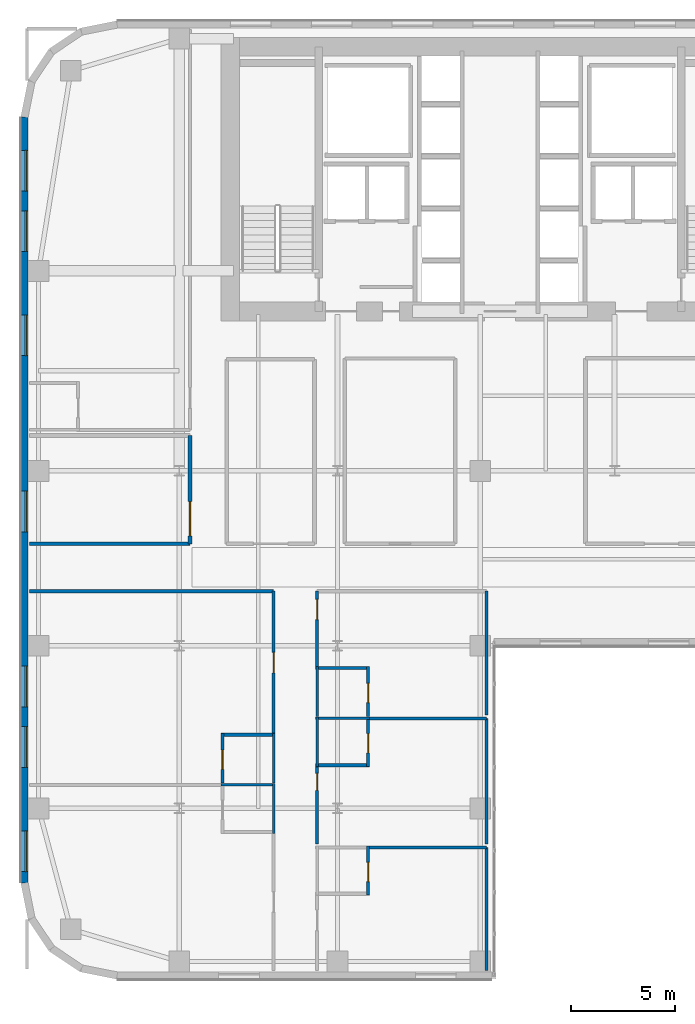
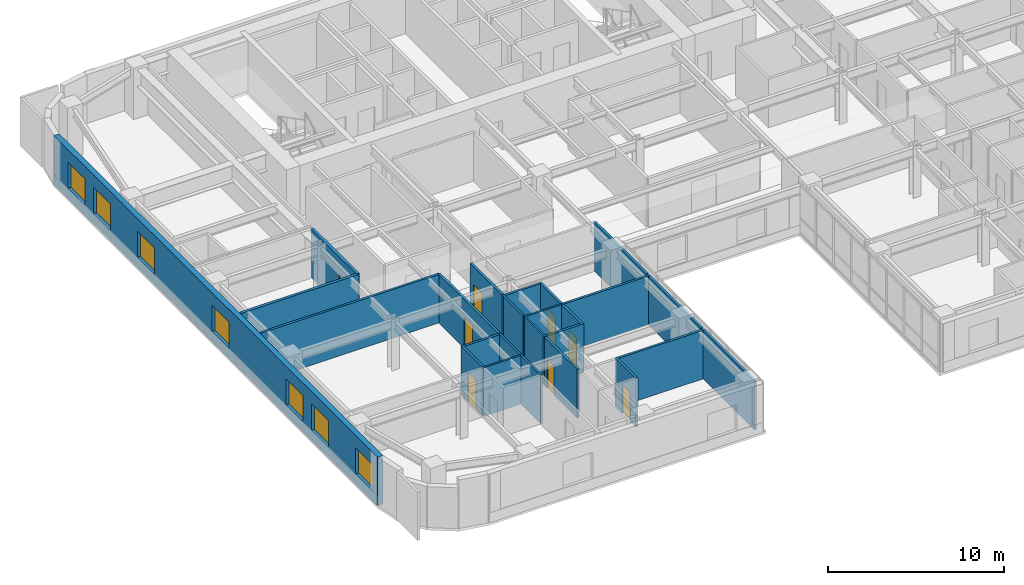
# One storey, part 14 of 24: 25 walls, 8 doors, 7 windows, 15 openings.
"""IFC4 building model written with IfcOpenShell, lengths in metres."""

from ifc_helpers import new_model, si_unit, direction, frame, frame_2d, origin, place, context, subcontext, project, spatial, rectangle, extrude, source, transform, mapped, material, layer, layer_set, type_object, type_shapes, element, fill, save


model = new_model("IFC4")

# Units and contexts
model_context = context("Model", 3, precision=1e-05, world=origin(), true_north=direction((0.0, 1.0)))
body_context = subcontext(model_context, "Body", "Model", "MODEL_VIEW")
ifc_project = project(units=[si_unit("LENGTHUNIT", "METRE"), si_unit("AREAUNIT", "SQUARE_METRE"), si_unit("VOLUMEUNIT", "CUBIC_METRE"), si_unit("PLANEANGLEUNIT", "RADIAN"), si_unit("MASSUNIT", "GRAM", prefix="KILO")], contexts=[model_context])

# Site, building, storey
site_placement = place(None, origin())
site = spatial("IfcSite", under=ifc_project, at=site_placement, CompositionType="ELEMENT")
building_placement = place(site_placement, origin())
building = spatial("IfcBuilding", under=site, at=building_placement, Name="Tolvann Quenvar Hotel", CompositionType="ELEMENT")
storey_placement = place(building_placement, frame((0.0, 0.0, 67.5)))
storey = spatial("IfcBuildingStorey", under=building, at=storey_placement, Name="L16", CompositionType="ELEMENT", Elevation=67.5)

# Wall, openings, windows
ifc_material_1 = material(Name="Kiln-fired red and buff architectural clay brickwork and terracotta masonry", Category="masonry")
ifc_layer_1 = layer(ifc_material_1, 0.35009765625)
ifc_layer_set_1 = layer_set([ifc_layer_1], Name="Kiln-fired red and buff architectural clay brickwork and terracotta masonry")
wall_type_1 = type_object("IfcWallType", Name="WALL_EXT_BRICK_350", PredefinedType="SOLIDWALL", material=ifc_layer_set_1)
wall_1_placement = place(storey_placement, frame((0.175048828125, 41.3828125, 0.0), z_axis=(0.0, 0.0, 1.0), x_axis=(0.0, -1.0, 0.0)))
wall_1 = element("IfcWall", 1, at=wall_1_placement, inside=storey, type_object=wall_type_1, Name="Exterior Chicago Brick Wall L16-E23", PredefinedType="SOLIDWALL", context=body_context, shape_type="SweptSolid", body=[
    extrude(rectangle(XDim=36.765625, YDim=0.35009765625, at=frame_2d((18.3828125, 0.0))), origin(), (0.0, 0.0, 1.0), 3.3701171875),
])
opening_1_placement = place(wall_1_placement, frame((1.60107421875, 0.0, 0.679931640625)))
opening_1 = element("IfcOpeningElement", 2, at=opening_1_placement, cuts=wall_1, Name="Opening W-10", PredefinedType="OPENING", context=body_context, shape_type="SweptSolid", body=[
    extrude(rectangle(XDim=1.949951171875, YDim=1.820068359375, at=frame_2d((0.97509765625, 0.91015625))), frame((0.0, 0.18505859375, 0.0), z_axis=(0.0, -1.0, 0.0), x_axis=(1.0, 0.0, 0.0)), (0.0, 0.0, 1.0), 0.3701171875),
])
opening_2_placement = place(wall_1_placement, frame((4.5029296875, 0.0, 0.679931640625)))
opening_2 = element("IfcOpeningElement", 3, at=opening_2_placement, cuts=wall_1, Name="Opening W-10", PredefinedType="OPENING", context=body_context, shape_type="SweptSolid", body=[
    extrude(rectangle(XDim=1.949951171875, YDim=1.820068359375, at=frame_2d((0.97509765625, 0.91015625))), frame((0.0, 0.18505859375, 0.0), z_axis=(0.0, -1.0, 0.0), x_axis=(1.0, 0.0, 0.0)), (0.0, 0.0, 1.0), 0.3701171875),
])
opening_3_placement = place(wall_1_placement, frame((9.50390625, 0.0, 0.679931640625)))
opening_3 = element("IfcOpeningElement", 4, at=opening_3_placement, cuts=wall_1, Name="Opening W-10", PredefinedType="OPENING", context=body_context, shape_type="SweptSolid", body=[
    extrude(rectangle(XDim=1.949951171875, YDim=1.820068359375, at=frame_2d((0.97509765625, 0.91015625))), frame((0.0, 0.18505859375, 0.0), z_axis=(0.0, -1.0, 0.0), x_axis=(1.0, 0.0, 0.0)), (0.0, 0.0, 1.0), 0.3701171875),
])
opening_4_placement = place(wall_1_placement, frame((17.9580078125, 0.0, 0.679931640625)))
opening_4 = element("IfcOpeningElement", 5, at=opening_4_placement, cuts=wall_1, Name="Opening W-10", PredefinedType="OPENING", context=body_context, shape_type="SweptSolid", body=[
    extrude(rectangle(XDim=1.949951171875, YDim=1.820068359375, at=frame_2d((0.97509765625, 0.91015625))), frame((0.0, 0.18505859375, 0.0), z_axis=(0.0, -1.0, 0.0), x_axis=(1.0, 0.0, 0.0)), (0.0, 0.0, 1.0), 0.3701171875),
])
opening_5_placement = place(wall_1_placement, frame((26.361083984375, 0.0, 0.679931640625)))
opening_5 = element("IfcOpeningElement", 6, at=opening_5_placement, cuts=wall_1, Name="Opening W-10", PredefinedType="OPENING", context=body_context, shape_type="SweptSolid", body=[
    extrude(rectangle(XDim=1.949951171875, YDim=1.820068359375, at=frame_2d((0.97509765625, 0.91015625))), frame((0.0, 0.18505859375, 0.0), z_axis=(0.0, -1.0, 0.0), x_axis=(1.0, 0.0, 0.0)), (0.0, 0.0, 1.0), 0.3701171875),
])
opening_6_placement = place(wall_1_placement, frame((29.262939453125, 0.0, 0.679931640625)))
opening_6 = element("IfcOpeningElement", 7, at=opening_6_placement, cuts=wall_1, Name="Opening W-10", PredefinedType="OPENING", context=body_context, shape_type="SweptSolid", body=[
    extrude(rectangle(XDim=1.949951171875, YDim=1.820068359375, at=frame_2d((0.97509765625, 0.91015625))), frame((0.0, 0.18505859375, 0.0), z_axis=(0.0, -1.0, 0.0), x_axis=(1.0, 0.0, 0.0)), (0.0, 0.0, 1.0), 0.3701171875),
])
opening_7_placement = place(wall_1_placement, frame((34.264892578125, 0.0, 0.679931640625)))
opening_7 = element("IfcOpeningElement", 8, at=opening_7_placement, cuts=wall_1, Name="Opening W-10", PredefinedType="OPENING", context=body_context, shape_type="SweptSolid", body=[
    extrude(rectangle(XDim=1.949951171875, YDim=1.820068359375, at=frame_2d((0.97509765625, 0.91015625))), frame((0.0, 0.18505859375, 0.0), z_axis=(0.0, -1.0, 0.0), x_axis=(1.0, 0.0, 0.0)), (0.0, 0.0, 1.0), 0.3701171875),
])
ifc_material_2 = material(Name="Thermally broken bronze-anodised aluminium frame with double low-E glazing", Category="aluminium")
window_type = type_object("IfcWindowType", Name="WIN_CLB_1950x1850", PartitioningType="DOUBLE_PANEL_VERTICAL", PredefinedType="WINDOW", material=ifc_material_2)
shared_shape_1 = source(origin(), body_context, "Body", "SweptSolid", [
    extrude(rectangle(XDim=1.949951171875, YDim=1.820068359375, at=frame_2d((0.97509765625, 0.91015625))), frame((0.0, 0.090087890625, 0.0), z_axis=(0.0, -1.0, 0.0), x_axis=(1.0, 0.0, 0.0)), (0.0, 0.0, 1.0), 0.06005859375),
])
type_shapes(window_type, [shared_shape_1])
window_1_placement = place(opening_1_placement, origin())
window_1 = element("IfcWindow", 9, at=window_1_placement, inside=storey, type_object=window_type, Name="Chicago Window W-10 (EW-L16-E23-W01)", OverallHeight=1.820068359375, OverallWidth=1.949951171875, PartitioningType="DOUBLE_PANEL_VERTICAL", PredefinedType="WINDOW", context=body_context, shape_type="MappedRepresentation", body=[
    mapped(shared_shape_1, transform((0.0, 0.0, 0.0), x_axis=(1.0, 0.0, 0.0), y_axis=(0.0, 1.0, 0.0), z_axis=(0.0, 0.0, 1.0), scale=1.0)),
])
fill(opening_1, window_1)
window_2_placement = place(opening_2_placement, origin())
window_2 = element("IfcWindow", 10, at=window_2_placement, inside=storey, type_object=window_type, Name="Chicago Window W-10 (EW-L16-E23-W02)", OverallHeight=1.820068359375, OverallWidth=1.949951171875, PartitioningType="DOUBLE_PANEL_VERTICAL", PredefinedType="WINDOW", context=body_context, shape_type="MappedRepresentation", body=[
    mapped(shared_shape_1, transform((0.0, 0.0, 0.0), x_axis=(1.0, 0.0, 0.0), y_axis=(0.0, 1.0, 0.0), z_axis=(0.0, 0.0, 1.0), scale=1.0)),
])
fill(opening_2, window_2)
window_3_placement = place(opening_3_placement, origin())
window_3 = element("IfcWindow", 11, at=window_3_placement, inside=storey, type_object=window_type, Name="Chicago Window W-10 (EW-L16-E23-W03)", OverallHeight=1.820068359375, OverallWidth=1.949951171875, PartitioningType="DOUBLE_PANEL_VERTICAL", PredefinedType="WINDOW", context=body_context, shape_type="MappedRepresentation", body=[
    mapped(shared_shape_1, transform((0.0, 0.0, 0.0), x_axis=(1.0, 0.0, 0.0), y_axis=(0.0, 1.0, 0.0), z_axis=(0.0, 0.0, 1.0), scale=1.0)),
])
fill(opening_3, window_3)
window_4_placement = place(opening_4_placement, origin())
window_4 = element("IfcWindow", 12, at=window_4_placement, inside=storey, type_object=window_type, Name="Chicago Window W-10 (EW-L16-E23-W04)", OverallHeight=1.820068359375, OverallWidth=1.949951171875, PartitioningType="DOUBLE_PANEL_VERTICAL", PredefinedType="WINDOW", context=body_context, shape_type="MappedRepresentation", body=[
    mapped(shared_shape_1, transform((0.0, 0.0, 0.0), x_axis=(1.0, 0.0, 0.0), y_axis=(0.0, 1.0, 0.0), z_axis=(0.0, 0.0, 1.0), scale=1.0)),
])
fill(opening_4, window_4)
window_5_placement = place(opening_5_placement, origin())
window_5 = element("IfcWindow", 13, at=window_5_placement, inside=storey, type_object=window_type, Name="Chicago Window W-10 (EW-L16-E23-W05)", OverallHeight=1.820068359375, OverallWidth=1.949951171875, PartitioningType="DOUBLE_PANEL_VERTICAL", PredefinedType="WINDOW", context=body_context, shape_type="MappedRepresentation", body=[
    mapped(shared_shape_1, transform((0.0, 0.0, 0.0), x_axis=(1.0, 0.0, 0.0), y_axis=(0.0, 1.0, 0.0), z_axis=(0.0, 0.0, 1.0), scale=1.0)),
])
fill(opening_5, window_5)
window_6_placement = place(opening_6_placement, origin())
window_6 = element("IfcWindow", 14, at=window_6_placement, inside=storey, type_object=window_type, Name="Chicago Window W-10 (EW-L16-E23-W06)", OverallHeight=1.820068359375, OverallWidth=1.949951171875, PartitioningType="DOUBLE_PANEL_VERTICAL", PredefinedType="WINDOW", context=body_context, shape_type="MappedRepresentation", body=[
    mapped(shared_shape_1, transform((0.0, 0.0, 0.0), x_axis=(1.0, 0.0, 0.0), y_axis=(0.0, 1.0, 0.0), z_axis=(0.0, 0.0, 1.0), scale=1.0)),
])
fill(opening_6, window_6)
window_7_placement = place(opening_7_placement, origin())
window_7 = element("IfcWindow", 15, at=window_7_placement, inside=storey, type_object=window_type, Name="Chicago Window W-10 (EW-L16-E23-W07)", OverallHeight=1.820068359375, OverallWidth=1.949951171875, PartitioningType="DOUBLE_PANEL_VERTICAL", PredefinedType="WINDOW", context=body_context, shape_type="MappedRepresentation", body=[
    mapped(shared_shape_1, transform((0.0, 0.0, 0.0), x_axis=(1.0, 0.0, 0.0), y_axis=(0.0, 1.0, 0.0), z_axis=(0.0, 0.0, 1.0), scale=1.0)),
])
fill(opening_7, window_7)

# Wall, opening, door
ifc_material_3 = material(Name="Acoustic twin-stud fire-rated gypsum plasterboard partition")
ifc_layer_2 = layer(ifc_material_3, 0.179931640625)
ifc_layer_set_2 = layer_set([ifc_layer_2], Name="Acoustic twin-stud fire-rated gypsum plasterboard partition")
wall_type_2 = type_object("IfcWallType", Name="WALL_PART_ACOUSTIC_180", PredefinedType="PARTITIONING", material=ifc_layer_set_2)
wall_2_placement = place(storey_placement, frame((8.1201171875, 20.89990234375, 0.0), z_axis=(0.0, 0.0, 1.0), x_axis=(0.0, 1.0, 0.0)))
wall_2 = element("IfcWall", 16, at=wall_2_placement, inside=storey, type_object=wall_type_2, Name="Interior Partition PT-SPC-L16-SAL-ENT", PredefinedType="PARTITIONING", context=body_context, shape_type="SweptSolid", body=[
    extrude(rectangle(XDim=5.2001953125, YDim=0.179931640625, at=frame_2d((2.60009765625, 0.0))), origin(), (0.0, 0.0, 1.0), 3.3701171875),
])
opening_8_placement = place(wall_2_placement, frame((0.375, 0.0, 0.0)))
opening_8 = element("IfcOpeningElement", 17, at=opening_8_placement, cuts=wall_2, Name="Opening AD-01", PredefinedType="OPENING", context=body_context, shape_type="SweptSolid", body=[
    extrude(rectangle(XDim=1.64990234375, YDim=2.14990234375, at=frame_2d((0.824951171875, 1.074951171875))), frame((0.0, 0.10009765625, 0.0), z_axis=(0.0, -1.0, 0.0), x_axis=(1.0, 0.0, 0.0)), (0.0, 0.0, 1.0), 0.199951171875),
])
ifc_material_4 = material(Name="Solid-core American oak acoustic fire door leaf in steel frame", Category="steel")
door_type_1 = type_object("IfcDoorType", Name="DOOR_SALON_1650", OperationType="NOTDEFINED", PredefinedType="DOOR", material=ifc_material_4)
shared_shape_2 = source(origin(), body_context, "Body", "SweptSolid", [
    extrude(rectangle(XDim=1.64990234375, YDim=2.14990234375, at=frame_2d((0.824951171875, 1.074951171875))), frame((0.0, 0.02490234375, 0.0), z_axis=(0.0, -1.0, 0.0), x_axis=(1.0, 0.0, 0.0)), (0.0, 0.0, 1.0), 0.050048828125),
])
type_shapes(door_type_1, [shared_shape_2])
door_1_placement = place(opening_8_placement, origin())
door_1 = element("IfcDoor", 18, at=door_1_placement, inside=storey, type_object=door_type_1, Name="Interior Door DOOR-SPC-L16-SAL", OperationType="DOUBLE_DOOR_SINGLE_SWING", OverallHeight=2.14990234375, OverallWidth=1.64990234375, PredefinedType="DOOR", context=body_context, shape_type="MappedRepresentation", body=[
    mapped(shared_shape_2, transform((0.0, 0.0, 0.0), x_axis=(1.0, 0.0, 0.0), y_axis=(0.0, 1.0, 0.0), z_axis=(0.0, 0.0, 1.0), scale=1.0)),
])
fill(opening_8, door_1)

# Walls
wall_3_placement = place(storey_placement, frame((0.405029296875, 20.89990234375, 0.0), z_axis=(0.0, 0.0, 1.0), x_axis=(1.0, 0.0, 0.0)))
element("IfcWall", 19, at=wall_3_placement, inside=storey, type_object=wall_type_2, Name="Interior Partition PT-SPC-L16-SAL-S", PredefinedType="PARTITIONING", context=body_context, shape_type="SweptSolid", body=[
    extrude(rectangle(XDim=7.715087890625, YDim=0.179931640625, at=frame_2d((3.857421875, 0.0))), origin(), (0.0, 0.0, 1.0), 3.3701171875),
])
ifc_material_5 = material(Name="Moisture-resistant acoustic plumbing wall assembly")
ifc_layer_3 = layer(ifc_material_5, 0.1201171875)
ifc_layer_set_3 = layer_set([ifc_layer_3], Name="Moisture-resistant acoustic plumbing wall assembly")
wall_type_3 = type_object("IfcWallType", Name="WALL_PART_BATH_120", PredefinedType="PLUMBINGWALL", material=ifc_layer_set_3)
wall_4_placement = place(storey_placement, frame((9.610107421875, 9.320068359375, 0.0), z_axis=(0.0, 0.0, 1.0), x_axis=(1.0, 0.0, 0.0)))
element("IfcWall", 20, at=wall_4_placement, inside=storey, type_object=wall_type_3, Name="Non-Rated Plumbing Partition PT-SPC-L16-ENS-WO01-N", PredefinedType="PLUMBINGWALL", context=body_context, shape_type="SweptSolid", body=[
    extrude(rectangle(XDim=2.58984375, YDim=0.1201171875, at=frame_2d((1.294921875, 0.0))), origin(), (0.0, 0.0, 1.0), 3.3701171875),
])
wall_5_placement = place(storey_placement, frame((12.1298828125, 7.0, 0.0), z_axis=(0.0, 0.0, 1.0), x_axis=(0.0, 1.0, 0.0)))
element("IfcWall", 21, at=wall_5_placement, inside=storey, type_object=wall_type_3, Name="Non-Rated Plumbing Partition PT-SPC-L16-ENS-WO01-E", PredefinedType="PLUMBINGWALL", context=body_context, shape_type="SweptSolid", body=[
    extrude(rectangle(XDim=2.389892578125, YDim=0.1201171875, at=frame_2d((1.19482421875, 0.0))), origin(), (0.0, 0.0, 1.0), 3.3701171875),
])
wall_6_placement = place(storey_placement, frame((12.1298828125, 9.409912109375, 0.0), z_axis=(0.0, 0.0, 1.0), x_axis=(0.0, 1.0, 0.0)))
element("IfcWall", 22, at=wall_6_placement, inside=storey, type_object=wall_type_3, Name="Non-Rated Plumbing Partition PT-SPC-L16-ENS-WO02-E", PredefinedType="PLUMBINGWALL", context=body_context, shape_type="SweptSolid", body=[
    extrude(rectangle(XDim=2.39013671875, YDim=0.1201171875, at=frame_2d((1.195068359375, 0.0))), origin(), (0.0, 0.0, 1.0), 3.3701171875),
])
wall_7_placement = place(storey_placement, frame((14.14990234375, 12.52001953125, 0.0), z_axis=(0.0, 0.0, 1.0), x_axis=(1.0, 0.0, 0.0)))
element("IfcWall", 23, at=wall_7_placement, inside=storey, type_object=wall_type_3, Name="Non-Rated Plumbing Partition PT-SPC-L16-ENS-WI02-N", PredefinedType="PLUMBINGWALL", context=body_context, shape_type="SweptSolid", body=[
    extrude(rectangle(XDim=2.590087890625, YDim=0.1201171875, at=frame_2d((1.294921875, 0.0))), origin(), (0.0, 0.0, 1.0), 3.3701171875),
])
wall_8_placement = place(storey_placement, frame((14.219970703125, 10.199951171875, 0.0), z_axis=(0.0, 0.0, 1.0), x_axis=(0.0, 1.0, 0.0)))
element("IfcWall", 24, at=wall_8_placement, inside=storey, type_object=wall_type_3, Name="Non-Rated Plumbing Partition PT-SPC-L16-ENS-WI02-W", PredefinedType="PLUMBINGWALL", context=body_context, shape_type="SweptSolid", body=[
    extrude(rectangle(XDim=2.39013671875, YDim=0.1201171875, at=frame_2d((1.195068359375, 0.0))), origin(), (0.0, 0.0, 1.0), 3.3701171875),
])
wall_9_placement = place(storey_placement, frame((14.219970703125, 12.610107421875, 0.0), z_axis=(0.0, 0.0, 1.0), x_axis=(0.0, 1.0, 0.0)))
element("IfcWall", 25, at=wall_9_placement, inside=storey, type_object=wall_type_3, Name="Non-Rated Plumbing Partition PT-SPC-L16-ENS-WI03-W", PredefinedType="PLUMBINGWALL", context=body_context, shape_type="SweptSolid", body=[
    extrude(rectangle(XDim=2.389892578125, YDim=0.1201171875, at=frame_2d((1.19482421875, 0.0))), origin(), (0.0, 0.0, 1.0), 3.3701171875),
])

# Wall, opening, door
ifc_layer_4 = layer(ifc_material_3, 0.14990234375)
ifc_layer_set_4 = layer_set([ifc_layer_4], Name="Acoustic twin-stud fire-rated gypsum plasterboard partition")
wall_type_4 = type_object("IfcWallType", Name="WALL_PART_SUITE_150", PredefinedType="PARTITIONING", material=ifc_layer_set_4)
wall_10_placement = place(storey_placement, frame((9.679931640625, 9.409912109375, 0.0), z_axis=(0.0, 0.0, 1.0), x_axis=(0.0, 1.0, 0.0)))
wall_10 = element("IfcWall", 26, at=wall_10_placement, inside=storey, type_object=wall_type_4, Name="Interior Partition PT-SPC-L16-ENS-WO02-ENT", PredefinedType="PARTITIONING", context=body_context, shape_type="SweptSolid", body=[
    extrude(rectangle(XDim=2.39013671875, YDim=0.14990234375, at=frame_2d((1.195068359375, 0.0))), origin(), (0.0, 0.0, 1.0), 3.3701171875),
])
opening_9_placement = place(wall_10_placement, frame((0.6650390625, 0.0, 0.0)))
opening_9 = element("IfcOpeningElement", 27, at=opening_9_placement, cuts=wall_10, Name="Opening WD-01", PredefinedType="OPENING", context=body_context, shape_type="SweptSolid", body=[
    extrude(rectangle(XDim=0.919921875, YDim=2.010009765625, at=frame_2d((0.4599609375, 1.0048828125))), frame((0.0, 0.0849609375, 0.0), z_axis=(0.0, -1.0, 0.0), x_axis=(1.0, 0.0, 0.0)), (0.0, 0.0, 1.0), 0.169921875),
])
door_type_2 = type_object("IfcDoorType", Name="DOOR_WC_920", OperationType="NOTDEFINED", PredefinedType="DOOR", material=ifc_material_4)
shared_shape_3 = source(origin(), body_context, "Body", "SweptSolid", [
    extrude(rectangle(XDim=0.919921875, YDim=2.010009765625, at=frame_2d((0.4599609375, 1.0048828125))), frame((0.0, 0.02490234375, 0.0), z_axis=(0.0, -1.0, 0.0), x_axis=(1.0, 0.0, 0.0)), (0.0, 0.0, 1.0), 0.050048828125),
])
type_shapes(door_type_2, [shared_shape_3])
door_2_placement = place(opening_9_placement, origin())
door_2 = element("IfcDoor", 28, at=door_2_placement, inside=storey, type_object=door_type_2, Name="Interior Door DOOR-SPC-L16-ENS-WO02", OperationType="SINGLE_SWING_LEFT", OverallHeight=2.010009765625, OverallWidth=0.919921875, PredefinedType="DOOR", context=body_context, shape_type="MappedRepresentation", body=[
    mapped(shared_shape_3, transform((0.0, 0.0, 0.0), x_axis=(1.0, 0.0, 0.0), y_axis=(0.0, 1.0, 0.0), z_axis=(0.0, 0.0, 1.0), scale=1.0)),
])
fill(opening_9, door_2)

# Wall
wall_11_placement = place(storey_placement, frame((9.610107421875, 11.72998046875, 0.0), z_axis=(0.0, 0.0, 1.0), x_axis=(1.0, 0.0, 0.0)))
element("IfcWall", 29, at=wall_11_placement, inside=storey, type_object=wall_type_4, Name="Interior Partition PT-SPC-L16-ENS-WO02-N", PredefinedType="PARTITIONING", context=body_context, shape_type="SweptSolid", body=[
    extrude(rectangle(XDim=2.58984375, YDim=0.14990234375, at=frame_2d((1.294921875, 0.0))), origin(), (0.0, 0.0, 1.0), 3.3701171875),
])

# Wall, opening, door
wall_12_placement = place(storey_placement, frame((16.669921875, 4.031005859375, 0.0), z_axis=(0.0, 0.0, 1.0), x_axis=(0.0, 1.0, 0.0)))
wall_12 = element("IfcWall", 30, at=wall_12_placement, inside=storey, type_object=wall_type_4, Name="Interior Partition PT-SPC-L16-ENS-WI01-ENT", PredefinedType="PARTITIONING", context=body_context, shape_type="SweptSolid", body=[
    extrude(rectangle(XDim=2.35888671875, YDim=0.14990234375, at=frame_2d((1.179443359375, 0.0))), origin(), (0.0, 0.0, 1.0), 3.3701171875),
])
opening_10_placement = place(wall_12_placement, frame((0.6494140625, 0.0, 0.0)))
opening_10 = element("IfcOpeningElement", 31, at=opening_10_placement, cuts=wall_12, Name="Opening WD-01", PredefinedType="OPENING", context=body_context, shape_type="SweptSolid", body=[
    extrude(rectangle(XDim=0.919921875, YDim=2.010009765625, at=frame_2d((0.4599609375, 1.0048828125))), frame((0.0, 0.0849609375, 0.0), z_axis=(0.0, -1.0, 0.0), x_axis=(1.0, 0.0, 0.0)), (0.0, 0.0, 1.0), 0.169921875),
])
door_3_placement = place(opening_10_placement, origin())
door_3 = element("IfcDoor", 32, at=door_3_placement, inside=storey, type_object=door_type_2, Name="Interior Door DOOR-SPC-L16-ENS-WI01", OperationType="SINGLE_SWING_RIGHT", OverallHeight=2.010009765625, OverallWidth=0.919921875, PredefinedType="DOOR", context=body_context, shape_type="MappedRepresentation", body=[
    mapped(shared_shape_3, transform((0.0, 0.0, 0.0), x_axis=(1.0, 0.0, 0.0), y_axis=(0.0, 1.0, 0.0), z_axis=(0.0, 0.0, 1.0), scale=1.0)),
])
fill(opening_10, door_3)

wall_13_placement = place(storey_placement, frame((16.669921875, 10.199951171875, 0.0), z_axis=(0.0, 0.0, 1.0), x_axis=(0.0, 1.0, 0.0)))
wall_13 = element("IfcWall", 33, at=wall_13_placement, inside=storey, type_object=wall_type_4, Name="Interior Partition PT-SPC-L16-ENS-WI02-ENT", PredefinedType="PARTITIONING", context=body_context, shape_type="SweptSolid", body=[
    extrude(rectangle(XDim=2.39013671875, YDim=0.14990234375, at=frame_2d((1.195068359375, 0.0))), origin(), (0.0, 0.0, 1.0), 3.3701171875),
])
opening_11_placement = place(wall_13_placement, frame((0.6650390625, 0.0, 0.0)))
opening_11 = element("IfcOpeningElement", 34, at=opening_11_placement, cuts=wall_13, Name="Opening WD-01", PredefinedType="OPENING", context=body_context, shape_type="SweptSolid", body=[
    extrude(rectangle(XDim=0.919921875, YDim=2.010009765625, at=frame_2d((0.4599609375, 1.0048828125))), frame((0.0, 0.0849609375, 0.0), z_axis=(0.0, -1.0, 0.0), x_axis=(1.0, 0.0, 0.0)), (0.0, 0.0, 1.0), 0.169921875),
])
door_4_placement = place(opening_11_placement, origin())
door_4 = element("IfcDoor", 35, at=door_4_placement, inside=storey, type_object=door_type_2, Name="Interior Door DOOR-SPC-L16-ENS-WI02", OperationType="SINGLE_SWING_LEFT", OverallHeight=2.010009765625, OverallWidth=0.919921875, PredefinedType="DOOR", context=body_context, shape_type="MappedRepresentation", body=[
    mapped(shared_shape_3, transform((0.0, 0.0, 0.0), x_axis=(1.0, 0.0, 0.0), y_axis=(0.0, 1.0, 0.0), z_axis=(0.0, 0.0, 1.0), scale=1.0)),
])
fill(opening_11, door_4)

# Wall
wall_14_placement = place(storey_placement, frame((14.14990234375, 10.27001953125, 0.0), z_axis=(0.0, 0.0, 1.0), x_axis=(1.0, 0.0, 0.0)))
element("IfcWall", 36, at=wall_14_placement, inside=storey, type_object=wall_type_4, Name="Interior Partition PT-SPC-L16-ENS-WI02-S", PredefinedType="PARTITIONING", context=body_context, shape_type="SweptSolid", body=[
    extrude(rectangle(XDim=2.590087890625, YDim=0.14990234375, at=frame_2d((1.294921875, 0.0))), origin(), (0.0, 0.0, 1.0), 3.3701171875),
])

# Wall, opening, door
wall_15_placement = place(storey_placement, frame((16.669921875, 12.610107421875, 0.0), z_axis=(0.0, 0.0, 1.0), x_axis=(0.0, 1.0, 0.0)))
wall_15 = element("IfcWall", 37, at=wall_15_placement, inside=storey, type_object=wall_type_4, Name="Interior Partition PT-SPC-L16-ENS-WI03-ENT", PredefinedType="PARTITIONING", context=body_context, shape_type="SweptSolid", body=[
    extrude(rectangle(XDim=2.389892578125, YDim=0.14990234375, at=frame_2d((1.19482421875, 0.0))), origin(), (0.0, 0.0, 1.0), 3.3701171875),
])
opening_12_placement = place(wall_15_placement, frame((0.6650390625, 0.0, 0.0)))
opening_12 = element("IfcOpeningElement", 38, at=opening_12_placement, cuts=wall_15, Name="Opening WD-01", PredefinedType="OPENING", context=body_context, shape_type="SweptSolid", body=[
    extrude(rectangle(XDim=0.919921875, YDim=2.010009765625, at=frame_2d((0.4599609375, 1.0048828125))), frame((0.0, 0.0849609375, 0.0), z_axis=(0.0, -1.0, 0.0), x_axis=(1.0, 0.0, 0.0)), (0.0, 0.0, 1.0), 0.169921875),
])
door_5_placement = place(opening_12_placement, origin())
door_5 = element("IfcDoor", 39, at=door_5_placement, inside=storey, type_object=door_type_2, Name="Interior Door DOOR-SPC-L16-ENS-WI03", OperationType="SINGLE_SWING_RIGHT", OverallHeight=2.010009765625, OverallWidth=0.919921875, PredefinedType="DOOR", context=body_context, shape_type="MappedRepresentation", body=[
    mapped(shared_shape_3, transform((0.0, 0.0, 0.0), x_axis=(1.0, 0.0, 0.0), y_axis=(0.0, 1.0, 0.0), z_axis=(0.0, 0.0, 1.0), scale=1.0)),
])
fill(opening_12, door_5)

# Wall
wall_16_placement = place(storey_placement, frame((14.14990234375, 14.929931640625, 0.0), z_axis=(0.0, 0.0, 1.0), x_axis=(1.0, 0.0, 0.0)))
element("IfcWall", 40, at=wall_16_placement, inside=storey, type_object=wall_type_4, Name="Interior Partition PT-SPC-L16-ENS-WI03-N", PredefinedType="PARTITIONING", context=body_context, shape_type="SweptSolid", body=[
    extrude(rectangle(XDim=2.590087890625, YDim=0.14990234375, at=frame_2d((1.294921875, 0.0))), origin(), (0.0, 0.0, 1.0), 3.3701171875),
])

# Wall, opening, door
wall_17_placement = place(storey_placement, frame((12.1298828125, 11.81005859375, 0.0), z_axis=(0.0, 0.0, 1.0), x_axis=(0.0, 1.0, 0.0)))
wall_17 = element("IfcWall", 41, at=wall_17_placement, inside=storey, type_object=wall_type_4, Name="Interior Partition PT-SPC-L16-RM-WO02-ENT", PredefinedType="PARTITIONING", context=body_context, shape_type="SweptSolid", body=[
    extrude(rectangle(XDim=6.81005859375, YDim=0.14990234375, at=frame_2d((3.405029296875, 0.0))), origin(), (0.0, 0.0, 1.0), 3.3701171875),
])
opening_13_placement = place(wall_17_placement, frame((2.89501953125, 0.0, 0.0)))
opening_13 = element("IfcOpeningElement", 42, at=opening_13_placement, cuts=wall_17, Name="Opening SD-01", PredefinedType="OPENING", context=body_context, shape_type="SweptSolid", body=[
    extrude(rectangle(XDim=0.97998046875, YDim=2.1201171875, at=frame_2d((0.489990234375, 1.06005859375))), frame((0.0, 0.0849609375, 0.0), z_axis=(0.0, -1.0, 0.0), x_axis=(1.0, 0.0, 0.0)), (0.0, 0.0, 1.0), 0.169921875),
])
door_type_3 = type_object("IfcDoorType", Name="DOOR_SUITE_980", OperationType="NOTDEFINED", PredefinedType="DOOR", material=ifc_material_4)
shared_shape_4 = source(origin(), body_context, "Body", "SweptSolid", [
    extrude(rectangle(XDim=0.97998046875, YDim=2.1201171875, at=frame_2d((0.489990234375, 1.06005859375))), frame((0.0, 0.02490234375, 0.0), z_axis=(0.0, -1.0, 0.0), x_axis=(1.0, 0.0, 0.0)), (0.0, 0.0, 1.0), 0.050048828125),
])
type_shapes(door_type_3, [shared_shape_4])
door_6_placement = place(opening_13_placement, origin())
door_6 = element("IfcDoor", 43, at=door_6_placement, inside=storey, type_object=door_type_3, Name="Interior Door DOOR-SPC-L16-RM-WO02", OperationType="SINGLE_SWING_LEFT", OverallHeight=2.1201171875, OverallWidth=0.97998046875, PredefinedType="DOOR", context=body_context, shape_type="MappedRepresentation", body=[
    mapped(shared_shape_4, transform((0.0, 0.0, 0.0), x_axis=(1.0, 0.0, 0.0), y_axis=(0.0, 1.0, 0.0), z_axis=(0.0, 0.0, 1.0), scale=1.0)),
])
fill(opening_13, door_6)

# Walls
wall_18_placement = place(storey_placement, frame((0.405029296875, 18.6201171875, 0.0), z_axis=(0.0, 0.0, 1.0), x_axis=(1.0, 0.0, 0.0)))
element("IfcWall", 44, at=wall_18_placement, inside=storey, type_object=wall_type_4, Name="Interior Partition PT-SPC-L16-RM-WO02-E5", PredefinedType="PARTITIONING", context=body_context, shape_type="SweptSolid", body=[
    extrude(rectangle(XDim=11.724853515625, YDim=0.14990234375, at=frame_2d((5.8623046875, 0.0))), origin(), (0.0, 0.0, 1.0), 3.3701171875),
])
wall_19_placement = place(storey_placement, frame((22.35009765625, 0.405029296875, 0.0), z_axis=(0.0, 0.0, 1.0), x_axis=(0.0, 1.0, 0.0)))
element("IfcWall", 45, at=wall_19_placement, inside=storey, type_object=wall_type_4, Name="Interior Partition PT-SPC-L16-RM-WI01-E2", PredefinedType="PARTITIONING", context=body_context, shape_type="SweptSolid", body=[
    extrude(rectangle(XDim=5.9150390625, YDim=0.14990234375, at=frame_2d((2.95751953125, 0.0))), origin(), (0.0, 0.0, 1.0), 3.3701171875),
])
wall_20_placement = place(storey_placement, frame((16.68994140625, 6.320068359375, 0.0), z_axis=(0.0, 0.0, 1.0), x_axis=(1.0, 0.0, 0.0)))
element("IfcWall", 46, at=wall_20_placement, inside=storey, type_object=wall_type_4, Name="Interior Partition PT-SPC-L16-RM-WI01-E3", PredefinedType="PARTITIONING", context=body_context, shape_type="SweptSolid", body=[
    extrude(rectangle(XDim=5.66015625, YDim=0.14990234375, at=frame_2d((2.830078125, 0.0))), origin(), (0.0, 0.0, 1.0), 3.3701171875),
])

# Wall, opening, door
wall_21_placement = place(storey_placement, frame((14.219970703125, 6.47998046875, 0.0), z_axis=(0.0, 0.0, 1.0), x_axis=(0.0, 1.0, 0.0)))
wall_21 = element("IfcWall", 47, at=wall_21_placement, inside=storey, type_object=wall_type_4, Name="Interior Partition PT-SPC-L16-RM-WI02-ENT", PredefinedType="PARTITIONING", context=body_context, shape_type="SweptSolid", body=[
    extrude(rectangle(XDim=3.7099609375, YDim=0.14990234375, at=frame_2d((1.85498046875, 0.0))), origin(), (0.0, 0.0, 1.0), 3.3701171875),
])
opening_14_placement = place(wall_21_placement, frame((2.580078125, 0.0, 0.0)))
opening_14 = element("IfcOpeningElement", 48, at=opening_14_placement, cuts=wall_21, Name="Opening HD-02", PredefinedType="OPENING", context=body_context, shape_type="SweptSolid", body=[
    extrude(rectangle(XDim=0.820068359375, YDim=2.010009765625, at=frame_2d((0.41015625, 1.0048828125))), frame((0.0, 0.0849609375, 0.0), z_axis=(0.0, -1.0, 0.0), x_axis=(1.0, 0.0, 0.0)), (0.0, 0.0, 1.0), 0.169921875),
])
ifc_material_6 = material(Name="Pressed galvanised steel fire-rated door set", Category="steel")
door_type_4 = type_object("IfcDoorType", Name="DOOR_STORE_820", OperationType="NOTDEFINED", PredefinedType="DOOR", material=ifc_material_6)
shared_shape_5 = source(origin(), body_context, "Body", "SweptSolid", [
    extrude(rectangle(XDim=0.820068359375, YDim=2.010009765625, at=frame_2d((0.41015625, 1.0048828125))), frame((0.0, 0.02490234375, 0.0), z_axis=(0.0, -1.0, 0.0), x_axis=(1.0, 0.0, 0.0)), (0.0, 0.0, 1.0), 0.050048828125),
])
type_shapes(door_type_4, [shared_shape_5])
door_7_placement = place(opening_14_placement, origin())
door_7 = element("IfcDoor", 49, at=door_7_placement, inside=storey, type_object=door_type_4, Name="Interior Door DOOR-SPC-L16-RM-WI02", OperationType="SINGLE_SWING_LEFT", OverallHeight=2.010009765625, OverallWidth=0.820068359375, PredefinedType="DOOR", context=body_context, shape_type="MappedRepresentation", body=[
    mapped(shared_shape_5, transform((0.0, 0.0, 0.0), x_axis=(1.0, 0.0, 0.0), y_axis=(0.0, 1.0, 0.0), z_axis=(0.0, 0.0, 1.0), scale=1.0)),
])
fill(opening_14, door_7)

# Walls
wall_22_placement = place(storey_placement, frame((22.35009765625, 6.47998046875, 0.0), z_axis=(0.0, 0.0, 1.0), x_axis=(0.0, 1.0, 0.0)))
element("IfcWall", 50, at=wall_22_placement, inside=storey, type_object=wall_type_4, Name="Interior Partition PT-SPC-L16-RM-WI02-E2", PredefinedType="PARTITIONING", context=body_context, shape_type="SweptSolid", body=[
    extrude(rectangle(XDim=6.0400390625, YDim=0.14990234375, at=frame_2d((3.02001953125, 0.0))), origin(), (0.0, 0.0, 1.0), 3.3701171875),
])
wall_23_placement = place(storey_placement, frame((16.68994140625, 12.52001953125, 0.0), z_axis=(0.0, 0.0, 1.0), x_axis=(1.0, 0.0, 0.0)))
element("IfcWall", 51, at=wall_23_placement, inside=storey, type_object=wall_type_4, Name="Interior Partition PT-SPC-L16-RM-WI02-E3", PredefinedType="PARTITIONING", context=body_context, shape_type="SweptSolid", body=[
    extrude(rectangle(XDim=5.66015625, YDim=0.14990234375, at=frame_2d((2.830078125, 0.0))), origin(), (0.0, 0.0, 1.0), 3.3701171875),
])

# Wall, opening, door
wall_24_placement = place(storey_placement, frame((14.219970703125, 15.010009765625, 0.0), z_axis=(0.0, 0.0, 1.0), x_axis=(0.0, 1.0, 0.0)))
wall_24 = element("IfcWall", 52, at=wall_24_placement, inside=storey, type_object=wall_type_4, Name="Interior Partition PT-SPC-L16-RM-WI03-ENT", PredefinedType="PARTITIONING", context=body_context, shape_type="SweptSolid", body=[
    extrude(rectangle(XDim=3.610107421875, YDim=0.14990234375, at=frame_2d((1.80517578125, 0.0))), origin(), (0.0, 0.0, 1.0), 3.3701171875),
])
opening_15_placement = place(wall_24_placement, frame((2.2451171875, 0.0, 0.0)))
opening_15 = element("IfcOpeningElement", 53, at=opening_15_placement, cuts=wall_24, Name="Opening SD-01", PredefinedType="OPENING", context=body_context, shape_type="SweptSolid", body=[
    extrude(rectangle(XDim=0.97998046875, YDim=2.1201171875, at=frame_2d((0.489990234375, 1.06005859375))), frame((0.0, 0.0849609375, 0.0), z_axis=(0.0, -1.0, 0.0), x_axis=(1.0, 0.0, 0.0)), (0.0, 0.0, 1.0), 0.169921875),
])
door_8_placement = place(opening_15_placement, origin())
door_8 = element("IfcDoor", 54, at=door_8_placement, inside=storey, type_object=door_type_3, Name="Interior Door DOOR-SPC-L16-RM-WI03", OperationType="SINGLE_SWING_RIGHT", OverallHeight=2.1201171875, OverallWidth=0.97998046875, PredefinedType="DOOR", context=body_context, shape_type="MappedRepresentation", body=[
    mapped(shared_shape_4, transform((0.0, 0.0, 0.0), x_axis=(1.0, 0.0, 0.0), y_axis=(0.0, 1.0, 0.0), z_axis=(0.0, 0.0, 1.0), scale=1.0)),
])
fill(opening_15, door_8)

# Wall
wall_25_placement = place(storey_placement, frame((22.35009765625, 12.679931640625, 0.0), z_axis=(0.0, 0.0, 1.0), x_axis=(0.0, 1.0, 0.0)))
element("IfcWall", 55, at=wall_25_placement, inside=storey, type_object=wall_type_4, Name="Interior Partition PT-SPC-L16-RM-WI03-E4", PredefinedType="PARTITIONING", context=body_context, shape_type="SweptSolid", body=[
    extrude(rectangle(XDim=5.940185546875, YDim=0.14990234375, at=frame_2d((2.97021484375, 0.0))), origin(), (0.0, 0.0, 1.0), 3.3701171875),
])

save(model, "model.ifc")
